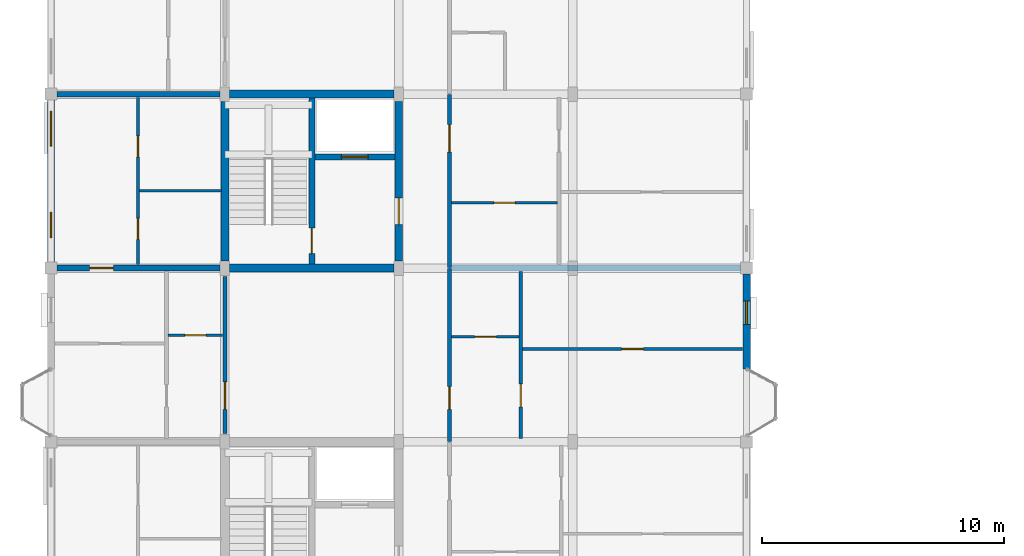
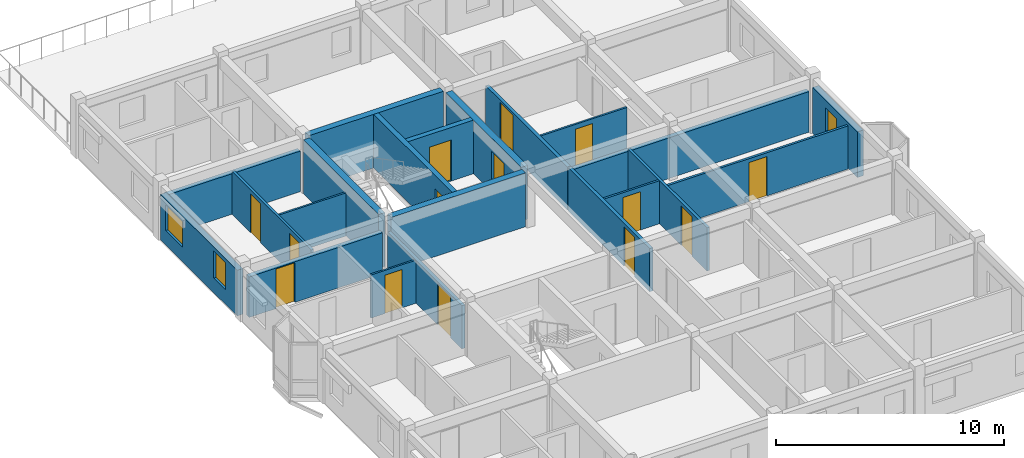
# One storey, part 48 of 70: 21 walls, 14 doors, 3 windows, 17 openings.
"""IFC4 building model written with IfcOpenShell, lengths in metres."""

from ifc_helpers import new_model, si_unit, direction, frame, frame_2d, origin, place, context, subcontext, project, spatial, rectangle, extrude, material, layer, layer_set, type_object, element, fill, save


model = new_model("IFC4")

# Units and contexts
model_context = context("Model", 3, precision=1e-05, world=origin(), true_north=direction((0.0, 1.0)))
body_context = subcontext(model_context, "Body", "Model", "MODEL_VIEW")
ifc_project = project(units=[si_unit("LENGTHUNIT", "METRE"), si_unit("AREAUNIT", "SQUARE_METRE"), si_unit("VOLUMEUNIT", "CUBIC_METRE"), si_unit("PLANEANGLEUNIT", "RADIAN"), si_unit("MASSUNIT", "GRAM", prefix="KILO"), si_unit("THERMODYNAMICTEMPERATUREUNIT", "KELVIN"), si_unit("POWERUNIT", "WATT")], contexts=[model_context])

# Site, building, storey
site_placement = place(None, origin())
site = spatial("IfcSite", under=ifc_project, at=site_placement, CompositionType="ELEMENT")
building_placement = place(site_placement, origin())
building = spatial("IfcBuilding", under=site, at=building_placement, Name="Tavuni Mirador Residences", CompositionType="ELEMENT")
storey_placement = place(building_placement, frame((0.0, 0.0, 23.39990234375)))
storey = spatial("IfcBuildingStorey", under=building, at=storey_placement, Name="L07", CompositionType="ELEMENT", Elevation=23.39990234375)

# Wall, opening, door
ifc_material_1 = material(Name="Precast concrete C40/50", Category="concrete")
ifc_layer_1 = layer(ifc_material_1, 0.25, Name="Precast concrete C40/50", Category="concrete")
ifc_layer_set_1 = layer_set([ifc_layer_1], Name="Precast concrete C40/50")
wall_type_1 = type_object("IfcWallType", Name="WT-COR250", PredefinedType="SHEAR", material=ifc_layer_set_1)
wall_1_placement = place(storey_placement, frame((14.39990234375, 28.9599609375, 0.0), z_axis=(0.0, 0.0, 1.0), x_axis=(0.0, 1.0, 0.0)))
wall_1 = element("IfcWall", 1, at=wall_1_placement, inside=storey, type_object=wall_type_1, Name="CWALL-C2-L07-MID", PredefinedType="SHEAR", context=body_context, shape_type="SweptSolid", body=[
    extrude(rectangle(XDim=6.880126953125, YDim=0.25, at=frame_2d((3.43994140625, 0.0))), origin(), (0.0, 0.0, 1.0), 2.8701171875),
])
opening_1_placement = place(wall_1_placement, frame((0.43994140625, 0.0, 0.0)))
opening_1 = element("IfcOpeningElement", 2, at=opening_1_placement, cuts=wall_1, Name="Opening D-01", PredefinedType="OPENING", context=body_context, shape_type="SweptSolid", body=[
    extrude(rectangle(XDim=1.050048828125, YDim=2.14990234375, at=frame_2d((0.52490234375, 1.074951171875))), frame((0.0, 0.135009765625, 0.0), z_axis=(0.0, -1.0, 0.0), x_axis=(1.0, 0.0, 0.0)), (0.0, 0.0, 1.0), 0.27001953125),
])
ifc_material_2 = material(Name="Solid core iroko timber", Category="wood")
door_type_1 = type_object("IfcDoorType", Name="DT-ST1050", OperationType="NOTDEFINED", PredefinedType="DOOR", material=ifc_material_2)
door_1_placement = place(opening_1_placement, origin())
door_1 = element("IfcDoor", 3, at=door_1_placement, inside=storey, type_object=door_type_1, Name="DR-2081", OperationType="SINGLE_SWING_LEFT", OverallHeight=2.14990234375, OverallWidth=1.050048828125, PredefinedType="DOOR", context=body_context, shape_type="SweptSolid", body=[
    extrude(rectangle(XDim=1.050048828125, YDim=2.14990234375, at=frame_2d((0.52490234375, 1.074951171875))), frame((0.0, 0.02490234375, 0.0), z_axis=(0.0, -1.0, 0.0), x_axis=(1.0, 0.0, 0.0)), (0.0, 0.0, 1.0), 0.050048828125),
])
fill(opening_1, door_1)

wall_2_placement = place(storey_placement, frame((14.52490234375, 33.39990234375, 0.0), z_axis=(0.0, 0.0, 1.0), x_axis=(1.0, 0.0, 0.0)))
wall_2 = element("IfcWall", 4, at=wall_2_placement, inside=storey, type_object=wall_type_1, Name="CWALL-C2-L07-SHF", PredefinedType="SHEAR", context=body_context, shape_type="SweptSolid", body=[
    extrude(rectangle(XDim=3.315185546875, YDim=0.25, at=frame_2d((1.65771484375, 0.0))), origin(), (0.0, 0.0, 1.0), 2.8701171875),
])
opening_2_placement = place(wall_2_placement, frame((1.10009765625, 0.0, 0.0)))
opening_2 = element("IfcOpeningElement", 5, at=opening_2_placement, cuts=wall_2, Name="Opening LD-01", PredefinedType="OPENING", context=body_context, shape_type="SweptSolid", body=[
    extrude(rectangle(XDim=1.10009765625, YDim=2.199951171875, at=frame_2d((0.550048828125, 1.10009765625))), frame((0.0, 0.135009765625, 0.0), z_axis=(0.0, -1.0, 0.0), x_axis=(1.0, 0.0, 0.0)), (0.0, 0.0, 1.0), 0.27001953125),
])
ifc_material_3 = material(Name="Structural steel S355", Category="steel")
door_type_2 = type_object("IfcDoorType", Name="DT-LD-FF", OperationType="SLIDING_TO_LEFT", PredefinedType="DOOR", material=ifc_material_3)
door_2_placement = place(opening_2_placement, origin())
door_2 = element("IfcDoor", 6, at=door_2_placement, inside=storey, type_object=door_type_2, Name="Lift landing door FL-A2 L07", OperationType="SLIDING_TO_LEFT", OverallHeight=2.199951171875, OverallWidth=1.10009765625, PredefinedType="DOOR", context=body_context, shape_type="SweptSolid", body=[
    extrude(rectangle(XDim=1.10009765625, YDim=2.199951171875, at=frame_2d((0.550048828125, 1.10009765625))), frame((0.0, 0.02490234375, 0.0), z_axis=(0.0, -1.0, 0.0), x_axis=(1.0, 0.0, 0.0)), (0.0, 0.0, 1.0), 0.050048828125),
])
fill(opening_2, door_2)

# Walls
ifc_layer_2 = layer(ifc_material_1, 0.320068359375, Name="Precast concrete C40/50", Category="concrete")
ifc_layer_set_2 = layer_set([ifc_layer_2], Name="Precast concrete C40/50")
wall_type_2 = type_object("IfcWallType", Name="WT-COR320", PredefinedType="SHEAR", material=ifc_layer_set_2)
wall_3_placement = place(storey_placement, frame((10.800048828125, 29.10009765625, 0.0), z_axis=(0.0, 0.0, 1.0), x_axis=(0.0, 1.0, 0.0)))
element("IfcWall", 7, at=wall_3_placement, inside=storey, type_object=wall_type_2, Name="CWALL-C2-L07-W", PredefinedType="SHEAR", context=body_context, shape_type="SweptSolid", body=[
    extrude(rectangle(XDim=6.599853515625, YDim=0.320068359375, at=frame_2d((3.2998046875, 0.0))), origin(), (0.0, 0.0, 1.0), 2.8701171875),
])
wall_4_placement = place(storey_placement, frame((11.0, 36.0, 0.0), z_axis=(0.0, 0.0, 1.0), x_axis=(1.0, 0.0, 0.0)))
element("IfcWall", 8, at=wall_4_placement, inside=storey, type_object=wall_type_2, Name="CWALL-C2-L07-N", PredefinedType="SHEAR", context=body_context, shape_type="SweptSolid", body=[
    extrude(rectangle(XDim=6.800048828125, YDim=0.320068359375, at=frame_2d((3.39990234375, 0.0))), origin(), (0.0, 0.0, 1.0), 2.8701171875),
])

# Wall, opening, door
wall_5_placement = place(storey_placement, frame((18.0, 29.10009765625, 0.0), z_axis=(0.0, 0.0, 1.0), x_axis=(0.0, 1.0, 0.0)))
wall_5 = element("IfcWall", 9, at=wall_5_placement, inside=storey, type_object=wall_type_2, Name="CWALL-C2-L07-E", PredefinedType="SHEAR", context=body_context, shape_type="SweptSolid", body=[
    extrude(rectangle(XDim=6.599853515625, YDim=0.320068359375, at=frame_2d((3.2998046875, 0.0))), origin(), (0.0, 0.0, 1.0), 2.8701171875),
])
opening_3_placement = place(wall_5_placement, frame((1.5, 0.0, 0.0)))
opening_3 = element("IfcOpeningElement", 10, at=opening_3_placement, cuts=wall_5, Name="Opening D-02", PredefinedType="OPENING", context=body_context, shape_type="SweptSolid", body=[
    extrude(rectangle(XDim=1.10009765625, YDim=2.14990234375, at=frame_2d((0.550048828125, 1.074951171875))), frame((0.0, 0.169921875, 0.0), z_axis=(0.0, -1.0, 0.0), x_axis=(1.0, 0.0, 0.0)), (0.0, 0.0, 1.0), 0.340087890625),
])
door_type_3 = type_object("IfcDoorType", Name="DT-LOB1100", OperationType="NOTDEFINED", PredefinedType="DOOR", material=ifc_material_2)
door_3_placement = place(opening_3_placement, frame((1.10009765625, 0.0, 0.0), z_axis=(0.0, 0.0, 1.0), x_axis=(-1.0, 0.0, 0.0)))
door_3 = element("IfcDoor", 11, at=door_3_placement, inside=storey, type_object=door_type_3, Name="DR-2080", OperationType="SINGLE_SWING_LEFT", OverallHeight=2.14990234375, OverallWidth=1.10009765625, PredefinedType="DOOR", context=body_context, shape_type="SweptSolid", body=[
    extrude(rectangle(XDim=1.10009765625, YDim=2.14990234375, at=frame_2d((0.550048828125, 1.074951171875))), frame((0.0, 0.02490234375, 0.0), z_axis=(0.0, -1.0, 0.0), x_axis=(1.0, 0.0, 0.0)), (0.0, 0.0, 1.0), 0.050048828125),
])
fill(opening_3, door_3)

# Wall
wall_6_placement = place(storey_placement, frame((11.0, 28.800048828125, 0.0), z_axis=(0.0, 0.0, 1.0), x_axis=(1.0, 0.0, 0.0)))
element("IfcWall", 12, at=wall_6_placement, inside=storey, type_object=wall_type_2, Name="CWALL-C2-L07-SS", PredefinedType="SHEAR", context=body_context, shape_type="SweptSolid", body=[
    extrude(rectangle(XDim=6.800048828125, YDim=0.320068359375, at=frame_2d((3.39990234375, 0.0))), origin(), (0.0, 0.0, 1.0), 2.8701171875),
])

# Wall, opening, door
ifc_layer_3 = layer(ifc_material_1, 0.1650390625, Name="Precast concrete C40/50", Category="concrete")
ifc_layer_set_3 = layer_set([ifc_layer_3], Name="Precast concrete C40/50")
wall_type_3 = type_object("IfcWallType", Name="WT-CORR165", PredefinedType="PARTITIONING", material=ifc_layer_set_3)
wall_7_placement = place(storey_placement, frame((20.10009765625, 21.6201171875, 0.0), z_axis=(0.0, 0.0, 1.0), x_axis=(0.0, 1.0, 0.0)))
wall_7 = element("IfcWall", 13, at=wall_7_placement, inside=storey, type_object=wall_type_3, Name="CORW-BLK-A-L07-0-02", PredefinedType="PARTITIONING", context=body_context, shape_type="SweptSolid", body=[
    extrude(rectangle(XDim=7.159912109375, YDim=0.1650390625, at=frame_2d((3.580078125, 0.0))), origin(), (0.0, 0.0, 1.0), 2.30517578125),
])
opening_4_placement = place(wall_7_placement, frame((1.330078125, 0.0, 0.0)))
opening_4 = element("IfcOpeningElement", 14, at=opening_4_placement, cuts=wall_7, Name="Opening D-19", PredefinedType="OPENING", context=body_context, shape_type="SweptSolid", body=[
    extrude(rectangle(XDim=0.93994140625, YDim=2.1201171875, at=frame_2d((0.469970703125, 1.06005859375))), frame((0.0, 0.092529296875, 0.0), z_axis=(0.0, -1.0, 0.0), x_axis=(1.0, 0.0, 0.0)), (0.0, 0.0, 1.0), 0.18505859375),
])
door_type_4 = type_object("IfcDoorType", Name="DT-FD60-940", OperationType="NOTDEFINED", PredefinedType="DOOR", material=ifc_material_2)
door_4_placement = place(opening_4_placement, origin())
door_4 = element("IfcDoor", 15, at=door_4_placement, inside=storey, type_object=door_type_4, Name="DR-2455", OperationType="SINGLE_SWING_RIGHT", OverallHeight=2.1201171875, OverallWidth=0.93994140625, PredefinedType="DOOR", context=body_context, shape_type="SweptSolid", body=[
    extrude(rectangle(XDim=0.93994140625, YDim=2.1201171875, at=frame_2d((0.469970703125, 1.06005859375))), frame((0.0, 0.02490234375, 0.0), z_axis=(0.0, -1.0, 0.0), x_axis=(1.0, 0.0, 0.0)), (0.0, 0.0, 1.0), 0.050048828125),
])
fill(opening_4, door_4)

wall_8_placement = place(storey_placement, frame((20.10009765625, 28.820068359375, 0.0), z_axis=(0.0, 0.0, 1.0), x_axis=(0.0, 1.0, 0.0)))
wall_8 = element("IfcWall", 16, at=wall_8_placement, inside=storey, type_object=wall_type_3, Name="CORW-BLK-A-L07-0-03", PredefinedType="PARTITIONING", context=body_context, shape_type="SweptSolid", body=[
    extrude(rectangle(XDim=7.159912109375, YDim=0.1650390625, at=frame_2d((3.580078125, 0.0))), origin(), (0.0, 0.0, 1.0), 2.30517578125),
])
opening_5_placement = place(wall_8_placement, frame((4.780029296875, 0.0, 0.0)))
opening_5 = element("IfcOpeningElement", 17, at=opening_5_placement, cuts=wall_8, Name="Opening D-20", PredefinedType="OPENING", context=body_context, shape_type="SweptSolid", body=[
    extrude(rectangle(XDim=1.139892578125, YDim=2.179931640625, at=frame_2d((0.56982421875, 1.08984375))), frame((0.0, 0.092529296875, 0.0), z_axis=(0.0, -1.0, 0.0), x_axis=(1.0, 0.0, 0.0)), (0.0, 0.0, 1.0), 0.18505859375),
])
door_type_5 = type_object("IfcDoorType", Name="DT-FD60-1140", OperationType="NOTDEFINED", PredefinedType="DOOR", material=ifc_material_2)
door_5_placement = place(opening_5_placement, origin())
door_5 = element("IfcDoor", 18, at=door_5_placement, inside=storey, type_object=door_type_5, Name="DR-2456", OperationType="SINGLE_SWING_LEFT", OverallHeight=2.179931640625, OverallWidth=1.139892578125, PredefinedType="DOOR", context=body_context, shape_type="SweptSolid", body=[
    extrude(rectangle(XDim=1.139892578125, YDim=2.179931640625, at=frame_2d((0.56982421875, 1.08984375))), frame((0.0, 0.02490234375, 0.0), z_axis=(0.0, -1.0, 0.0), x_axis=(1.0, 0.0, 0.0)), (0.0, 0.0, 1.0), 0.050048828125),
])
fill(opening_5, door_5)

wall_9_placement = place(storey_placement, frame((10.800048828125, 21.949951171875, 0.0), z_axis=(0.0, 0.0, 1.0), x_axis=(0.0, 1.0, 0.0)))
wall_9 = element("IfcWall", 19, at=wall_9_placement, inside=storey, type_object=wall_type_3, Name="CORW-BLK-A-L07-1-02", PredefinedType="PARTITIONING", context=body_context, shape_type="SweptSolid", body=[
    extrude(rectangle(XDim=6.5, YDim=0.1650390625, at=frame_2d((3.25, 0.0))), origin(), (0.0, 0.0, 1.0), 2.30517578125),
])
opening_6_placement = place(wall_9_placement, frame((1.0, 0.0, 0.0)))
opening_6 = element("IfcOpeningElement", 20, at=opening_6_placement, cuts=wall_9, Name="Opening D-20", PredefinedType="OPENING", context=body_context, shape_type="SweptSolid", body=[
    extrude(rectangle(XDim=1.139892578125, YDim=2.179931640625, at=frame_2d((0.56982421875, 1.08984375))), frame((0.0, 0.092529296875, 0.0), z_axis=(0.0, -1.0, 0.0), x_axis=(1.0, 0.0, 0.0)), (0.0, 0.0, 1.0), 0.18505859375),
])
door_6_placement = place(opening_6_placement, origin())
door_6 = element("IfcDoor", 21, at=door_6_placement, inside=storey, type_object=door_type_5, Name="DR-2459", OperationType="SINGLE_SWING_RIGHT", OverallHeight=2.179931640625, OverallWidth=1.139892578125, PredefinedType="DOOR", context=body_context, shape_type="SweptSolid", body=[
    extrude(rectangle(XDim=1.139892578125, YDim=2.179931640625, at=frame_2d((0.56982421875, 1.08984375))), frame((0.0, 0.02490234375, 0.0), z_axis=(0.0, -1.0, 0.0), x_axis=(1.0, 0.0, 0.0)), (0.0, 0.0, 1.0), 0.050048828125),
])
fill(opening_6, door_6)

# Wall, openings, windows
ifc_material_4 = material(Name="Sgraffito lime-rendered precast concrete C40/50", Category="concrete")
ifc_layer_4 = layer(ifc_material_4, 0.2900390625, Name="Sgraffito lime-rendered precast concrete C40/50", Category="concrete")
ifc_layer_set_4 = layer_set([ifc_layer_4], Name="Sgraffito lime-rendered precast concrete C40/50")
wall_type_4 = type_object("IfcWallType", Name="WT-EXT-PC290", PredefinedType="SOLIDWALL", material=ifc_layer_set_4)
wall_10_placement = place(storey_placement, frame((3.60009765625, 35.75, 0.0), z_axis=(0.0, 0.0, 1.0), x_axis=(0.0, -1.0, 0.0)))
wall_10 = element("IfcWall", 22, at=wall_10_placement, inside=storey, type_object=wall_type_4, Name="EW-BLK-A-L07-W03", PredefinedType="SOLIDWALL", context=body_context, shape_type="SweptSolid", body=[
    extrude(rectangle(XDim=6.699951171875, YDim=0.2900390625, at=frame_2d((3.35009765625, 0.0))), origin(), (0.0, 0.0, 1.0), 2.440185546875),
])
opening_7_placement = place(wall_10_placement, frame((0.449951171875, 0.0, 0.780029296875)))
opening_7 = element("IfcOpeningElement", 23, at=opening_7_placement, cuts=wall_10, Name="Opening WN-24", PredefinedType="OPENING", context=body_context, shape_type="SweptSolid", body=[
    extrude(rectangle(XDim=1.4599609375, YDim=1.360107421875, at=frame_2d((0.72998046875, 0.68017578125))), frame((0.0, 0.155029296875, 0.0), z_axis=(0.0, -1.0, 0.0), x_axis=(1.0, 0.0, 0.0)), (0.0, 0.0, 1.0), 0.31005859375),
])
opening_8_placement = place(wall_10_placement, frame((4.64990234375, 0.0, 0.780029296875)))
opening_8 = element("IfcOpeningElement", 24, at=opening_8_placement, cuts=wall_10, Name="Opening WN-26", PredefinedType="OPENING", context=body_context, shape_type="SweptSolid", body=[
    extrude(rectangle(XDim=1.050048828125, YDim=1.43994140625, at=frame_2d((0.52490234375, 0.719970703125))), frame((0.0, 0.155029296875, 0.0), z_axis=(0.0, -1.0, 0.0), x_axis=(1.0, 0.0, 0.0)), (0.0, 0.0, 1.0), 0.31005859375),
])
ifc_material_5 = material(Name="Laminated solar-control glass", Category="glass")
window_type_1 = type_object("IfcWindowType", Name="WNT-24", PartitioningType="SINGLE_PANEL", PredefinedType="WINDOW", material=ifc_material_5)
window_1_placement = place(opening_7_placement, origin())
window_1 = element("IfcWindow", 25, at=window_1_placement, inside=storey, type_object=window_type_1, Name="WIN-0286", OverallHeight=1.360107421875, OverallWidth=1.4599609375, PartitioningType="SINGLE_PANEL", PredefinedType="WINDOW", context=body_context, shape_type="SweptSolid", body=[
    extrude(rectangle(XDim=1.4599609375, YDim=1.360107421875, at=frame_2d((0.72998046875, 0.68017578125))), frame((0.0, 0.030029296875, 0.0), z_axis=(0.0, -1.0, 0.0), x_axis=(1.0, 0.0, 0.0)), (0.0, 0.0, 1.0), 0.06005859375),
])
fill(opening_7, window_1)
window_type_2 = type_object("IfcWindowType", Name="WNT-26", PartitioningType="SINGLE_PANEL", PredefinedType="WINDOW", material=ifc_material_5)
window_2_placement = place(opening_8_placement, origin())
window_2 = element("IfcWindow", 26, at=window_2_placement, inside=storey, type_object=window_type_2, Name="WIN-0287", OverallHeight=1.43994140625, OverallWidth=1.050048828125, PartitioningType="SINGLE_PANEL", PredefinedType="WINDOW", context=body_context, shape_type="SweptSolid", body=[
    extrude(rectangle(XDim=1.050048828125, YDim=1.43994140625, at=frame_2d((0.52490234375, 0.719970703125))), frame((0.0, 0.030029296875, 0.0), z_axis=(0.0, -1.0, 0.0), x_axis=(1.0, 0.0, 0.0)), (0.0, 0.0, 1.0), 0.06005859375),
])
fill(opening_8, window_2)

# Wall, opening, window
ifc_layer_5 = layer(ifc_material_4, 0.304931640625, Name="Sgraffito lime-rendered precast concrete C40/50", Category="concrete")
ifc_layer_set_5 = layer_set([ifc_layer_5], Name="Sgraffito lime-rendered precast concrete C40/50")
wall_type_5 = type_object("IfcWallType", Name="WT-EXT-PC305", PredefinedType="SOLIDWALL", material=ifc_layer_set_5)
wall_11_placement = place(storey_placement, frame((32.39990234375, 24.6201171875, 0.0), z_axis=(0.0, 0.0, 1.0), x_axis=(0.0, 1.0, 0.0)))
wall_11 = element("IfcWall", 27, at=wall_11_placement, inside=storey, type_object=wall_type_5, Name="EW-BLK-A-L07-E02", PredefinedType="SOLIDWALL", context=body_context, shape_type="SweptSolid", body=[
    extrude(rectangle(XDim=3.929931640625, YDim=0.304931640625, at=frame_2d((1.96484375, 0.0))), origin(), (0.0, 0.0, 1.0), 2.440185546875),
])
opening_9_placement = place(wall_11_placement, frame((1.844970703125, 0.0, 0.780029296875)))
opening_9 = element("IfcOpeningElement", 28, at=opening_9_placement, cuts=wall_11, Name="Opening WN-10", PredefinedType="OPENING", context=body_context, shape_type="SweptSolid", body=[
    extrude(rectangle(XDim=0.9599609375, YDim=1.260009765625, at=frame_2d((0.47998046875, 0.6298828125))), frame((0.0, 0.16259765625, 0.0), z_axis=(0.0, -1.0, 0.0), x_axis=(1.0, 0.0, 0.0)), (0.0, 0.0, 1.0), 0.324951171875),
])
window_type_3 = type_object("IfcWindowType", Name="WNT-10", PartitioningType="SINGLE_PANEL", PredefinedType="WINDOW", material=ifc_material_5)
window_3_placement = place(opening_9_placement, origin())
window_3 = element("IfcWindow", 29, at=window_3_placement, inside=storey, type_object=window_type_3, Name="WIN-0272", OverallHeight=1.260009765625, OverallWidth=0.9599609375, PartitioningType="SINGLE_PANEL", PredefinedType="WINDOW", context=body_context, shape_type="SweptSolid", body=[
    extrude(rectangle(XDim=0.9599609375, YDim=1.260009765625, at=frame_2d((0.47998046875, 0.6298828125))), frame((0.0, 0.030029296875, 0.0), z_axis=(0.0, -1.0, 0.0), x_axis=(1.0, 0.0, 0.0)), (0.0, 0.0, 1.0), 0.06005859375),
])
fill(opening_9, window_3)

# Wall, opening, door
ifc_material_6 = material(Name="Acoustic gypsum and concrete block partition", Category="concrete")
ifc_layer_6 = layer(ifc_material_6, 0.094970703125, Name="Acoustic gypsum and concrete block partition", Category="concrete")
ifc_layer_set_6 = layer_set([ifc_layer_6], Name="Acoustic gypsum and concrete block partition")
wall_type_6 = type_object("IfcWallType", Name="WT-PART095", PredefinedType="PARTITIONING", material=ifc_layer_set_6)
wall_12_placement = place(storey_placement, frame((8.449951171875, 26.02001953125, 0.0), z_axis=(0.0, 0.0, 1.0), x_axis=(1.0, 0.0, 0.0)))
wall_12 = element("IfcWall", 30, at=wall_12_placement, inside=storey, type_object=wall_type_6, Name="PW-BLK-A-L07-W02-IN1", PredefinedType="PARTITIONING", context=body_context, shape_type="SweptSolid", body=[
    extrude(rectangle(XDim=2.260009765625, YDim=0.094970703125, at=frame_2d((1.1298828125, 0.0))), origin(), (0.0, 0.0, 1.0), 2.30517578125),
])
opening_10_placement = place(wall_12_placement, frame((0.695068359375, 0.0, 0.0)))
opening_10 = element("IfcOpeningElement", 31, at=opening_10_placement, cuts=wall_12, Name="Opening D-10", PredefinedType="OPENING", context=body_context, shape_type="SweptSolid", body=[
    extrude(rectangle(XDim=0.8701171875, YDim=2.050048828125, at=frame_2d((0.43505859375, 1.02490234375))), frame((0.0, 0.0576171875, 0.0), z_axis=(0.0, -1.0, 0.0), x_axis=(1.0, 0.0, 0.0)), (0.0, 0.0, 1.0), 0.114990234375),
])
door_type_6 = type_object("IfcDoorType", Name="DT-WC870", OperationType="NOTDEFINED", PredefinedType="DOOR", material=ifc_material_2)
door_7_placement = place(opening_10_placement, origin())
door_7 = element("IfcDoor", 32, at=door_7_placement, inside=storey, type_object=door_type_6, Name="DR-3183", OperationType="SINGLE_SWING_LEFT", OverallHeight=2.050048828125, OverallWidth=0.8701171875, PredefinedType="DOOR", context=body_context, shape_type="SweptSolid", body=[
    extrude(rectangle(XDim=0.8701171875, YDim=2.050048828125, at=frame_2d((0.43505859375, 1.02490234375))), frame((0.0, 0.02490234375, 0.0), z_axis=(0.0, -1.0, 0.0), x_axis=(1.0, 0.0, 0.0)), (0.0, 0.0, 1.0), 0.050048828125),
])
fill(opening_10, door_7)

# Wall
wall_13_placement = place(storey_placement, frame((7.27001953125, 32.0, 0.0), z_axis=(0.0, 0.0, 1.0), x_axis=(1.0, 0.0, 0.0)))
element("IfcWall", 33, at=wall_13_placement, inside=storey, type_object=wall_type_6, Name="PW-BLK-A-L07-WC03-H", PredefinedType="PARTITIONING", context=body_context, shape_type="SweptSolid", body=[
    extrude(rectangle(XDim=3.389892578125, YDim=0.094970703125, at=frame_2d((1.69482421875, 0.0))), origin(), (0.0, 0.0, 1.0), 2.30517578125),
])

# Wall, opening, door
wall_14_placement = place(storey_placement, frame((20.18994140625, 31.5, 0.0), z_axis=(0.0, 0.0, 1.0), x_axis=(1.0, 0.0, 0.0)))
wall_14 = element("IfcWall", 34, at=wall_14_placement, inside=storey, type_object=wall_type_6, Name="PW-BLK-A-L07-E03-IN1", PredefinedType="PARTITIONING", context=body_context, shape_type="SweptSolid", body=[
    extrude(rectangle(XDim=4.3701171875, YDim=0.094970703125, at=frame_2d((2.18505859375, 0.0))), origin(), (0.0, 0.0, 1.0), 2.30517578125),
])
opening_11_placement = place(wall_14_placement, frame((1.75, 0.0, 0.0)))
opening_11 = element("IfcOpeningElement", 35, at=opening_11_placement, cuts=wall_14, Name="Opening D-10", PredefinedType="OPENING", context=body_context, shape_type="SweptSolid", body=[
    extrude(rectangle(XDim=0.8701171875, YDim=2.050048828125, at=frame_2d((0.43505859375, 1.02490234375))), frame((0.0, 0.0576171875, 0.0), z_axis=(0.0, -1.0, 0.0), x_axis=(1.0, 0.0, 0.0)), (0.0, 0.0, 1.0), 0.114990234375),
])
door_8_placement = place(opening_11_placement, origin())
door_8 = element("IfcDoor", 36, at=door_8_placement, inside=storey, type_object=door_type_6, Name="DR-3191", OperationType="SINGLE_SWING_LEFT", OverallHeight=2.050048828125, OverallWidth=0.8701171875, PredefinedType="DOOR", context=body_context, shape_type="SweptSolid", body=[
    extrude(rectangle(XDim=0.8701171875, YDim=2.050048828125, at=frame_2d((0.43505859375, 1.02490234375))), frame((0.0, 0.02490234375, 0.0), z_axis=(0.0, -1.0, 0.0), x_axis=(1.0, 0.0, 0.0)), (0.0, 0.0, 1.0), 0.050048828125),
])
fill(opening_11, door_8)

ifc_layer_7 = layer(ifc_material_6, 0.10498046875, Name="Acoustic gypsum and concrete block partition", Category="concrete")
ifc_layer_set_7 = layer_set([ifc_layer_7], Name="Acoustic gypsum and concrete block partition")
wall_type_7 = type_object("IfcWallType", Name="WT-PART105", PredefinedType="PARTITIONING", material=ifc_layer_set_7)
wall_15_placement = place(storey_placement, frame((20.18994140625, 25.949951171875, 0.0), z_axis=(0.0, 0.0, 1.0), x_axis=(1.0, 0.0, 0.0)))
wall_15 = element("IfcWall", 37, at=wall_15_placement, inside=storey, type_object=wall_type_7, Name="PW-BLK-A-L07-E02-IN1", PredefinedType="PARTITIONING", context=body_context, shape_type="SweptSolid", body=[
    extrude(rectangle(XDim=2.7900390625, YDim=0.10498046875, at=frame_2d((1.39501953125, 0.0))), origin(), (0.0, 0.0, 1.0), 2.30517578125),
])
opening_12_placement = place(wall_15_placement, frame((0.945068359375, 0.0, 0.0)))
opening_12 = element("IfcOpeningElement", 38, at=opening_12_placement, cuts=wall_15, Name="Opening D-09", PredefinedType="OPENING", context=body_context, shape_type="SweptSolid", body=[
    extrude(rectangle(XDim=0.89990234375, YDim=2.050048828125, at=frame_2d((0.449951171875, 1.02490234375))), frame((0.0, 0.0625, 0.0), z_axis=(0.0, -1.0, 0.0), x_axis=(1.0, 0.0, 0.0)), (0.0, 0.0, 1.0), 0.125),
])
door_type_7 = type_object("IfcDoorType", Name="DT-WC900", OperationType="NOTDEFINED", PredefinedType="DOOR", material=ifc_material_2)
door_9_placement = place(opening_12_placement, origin())
door_9 = element("IfcDoor", 39, at=door_9_placement, inside=storey, type_object=door_type_7, Name="DR-3186", OperationType="SINGLE_SWING_RIGHT", OverallHeight=2.050048828125, OverallWidth=0.89990234375, PredefinedType="DOOR", context=body_context, shape_type="SweptSolid", body=[
    extrude(rectangle(XDim=0.89990234375, YDim=2.050048828125, at=frame_2d((0.449951171875, 1.02490234375))), frame((0.0, 0.02490234375, 0.0), z_axis=(0.0, -1.0, 0.0), x_axis=(1.0, 0.0, 0.0)), (0.0, 0.0, 1.0), 0.050048828125),
])
fill(opening_12, door_9)

ifc_layer_8 = layer(ifc_material_6, 0.114990234375, Name="Acoustic gypsum and concrete block partition", Category="concrete")
ifc_layer_set_8 = layer_set([ifc_layer_8], Name="Acoustic gypsum and concrete block partition")
wall_type_8 = type_object("IfcWallType", Name="WT-PART115", PredefinedType="PARTITIONING", material=ifc_layer_set_8)
wall_16_placement = place(storey_placement, frame((23.1201171875, 25.449951171875, 0.0), z_axis=(0.0, 0.0, 1.0), x_axis=(1.0, 0.0, 0.0)))
wall_16 = element("IfcWall", 40, at=wall_16_placement, inside=storey, type_object=wall_type_8, Name="PW-BLK-A-L07-E02-OUT", PredefinedType="PARTITIONING", context=body_context, shape_type="SweptSolid", body=[
    extrude(rectangle(XDim=9.10498046875, YDim=0.114990234375, at=frame_2d((4.552490234375, 0.0))), origin(), (0.0, 0.0, 1.0), 2.30517578125),
])
opening_13_placement = place(wall_16_placement, frame((4.1025390625, 0.0, 0.0)))
opening_13 = element("IfcOpeningElement", 41, at=opening_13_placement, cuts=wall_16, Name="Opening D-07", PredefinedType="OPENING", context=body_context, shape_type="SweptSolid", body=[
    extrude(rectangle(XDim=0.89990234375, YDim=2.10009765625, at=frame_2d((0.449951171875, 1.050048828125))), frame((0.0, 0.0673828125, 0.0), z_axis=(0.0, -1.0, 0.0), x_axis=(1.0, 0.0, 0.0)), (0.0, 0.0, 1.0), 0.135009765625),
])
door_type_8 = type_object("IfcDoorType", Name="DT-BED900", OperationType="NOTDEFINED", PredefinedType="DOOR", material=ifc_material_2)
door_10_placement = place(opening_13_placement, origin())
door_10 = element("IfcDoor", 42, at=door_10_placement, inside=storey, type_object=door_type_8, Name="DR-3185", OperationType="SINGLE_SWING_LEFT", OverallHeight=2.10009765625, OverallWidth=0.89990234375, PredefinedType="DOOR", context=body_context, shape_type="SweptSolid", body=[
    extrude(rectangle(XDim=0.89990234375, YDim=2.10009765625, at=frame_2d((0.449951171875, 1.050048828125))), frame((0.0, 0.02490234375, 0.0), z_axis=(0.0, -1.0, 0.0), x_axis=(1.0, 0.0, 0.0)), (0.0, 0.0, 1.0), 0.050048828125),
])
fill(opening_13, door_10)

# Wall, openings, doors
ifc_layer_9 = layer(ifc_material_6, 0.125, Name="Acoustic gypsum and concrete block partition", Category="concrete")
ifc_layer_set_9 = layer_set([ifc_layer_9], Name="Acoustic gypsum and concrete block partition")
wall_type_9 = type_object("IfcWallType", Name="WT-PART125", PredefinedType="PARTITIONING", material=ifc_layer_set_9)
wall_17_placement = place(storey_placement, frame((7.199951171875, 28.93994140625, 0.0), z_axis=(0.0, 0.0, 1.0), x_axis=(0.0, 1.0, 0.0)))
wall_17 = element("IfcWall", 43, at=wall_17_placement, inside=storey, type_object=wall_type_9, Name="PW-BLK-A-L07-WC03-M", PredefinedType="PARTITIONING", context=body_context, shape_type="SweptSolid", body=[
    extrude(rectangle(XDim=6.920166015625, YDim=0.125, at=frame_2d((3.4599609375, 0.0))), origin(), (0.0, 0.0, 1.0), 2.30517578125),
])
opening_14_placement = place(wall_17_placement, frame((1.050048828125, 0.0, 0.0)))
opening_14 = element("IfcOpeningElement", 44, at=opening_14_placement, cuts=wall_17, Name="Opening D-10", PredefinedType="OPENING", context=body_context, shape_type="SweptSolid", body=[
    extrude(rectangle(XDim=0.8701171875, YDim=2.050048828125, at=frame_2d((0.43505859375, 1.02490234375))), frame((0.0, 0.072509765625, 0.0), z_axis=(0.0, -1.0, 0.0), x_axis=(1.0, 0.0, 0.0)), (0.0, 0.0, 1.0), 0.14501953125),
])
opening_15_placement = place(wall_17_placement, frame((4.449951171875, 0.0, 0.0)))
opening_15 = element("IfcOpeningElement", 45, at=opening_15_placement, cuts=wall_17, Name="Opening D-08", PredefinedType="OPENING", context=body_context, shape_type="SweptSolid", body=[
    extrude(rectangle(XDim=0.8798828125, YDim=2.080078125, at=frame_2d((0.43994140625, 1.0400390625))), frame((0.0, 0.072509765625, 0.0), z_axis=(0.0, -1.0, 0.0), x_axis=(1.0, 0.0, 0.0)), (0.0, 0.0, 1.0), 0.14501953125),
])
door_type_9 = type_object("IfcDoorType", Name="DT-BED880", OperationType="NOTDEFINED", PredefinedType="DOOR", material=ifc_material_2)
door_11_placement = place(opening_15_placement, origin())
door_11 = element("IfcDoor", 46, at=door_11_placement, inside=storey, type_object=door_type_9, Name="DR-3189", OperationType="SINGLE_SWING_LEFT", OverallHeight=2.080078125, OverallWidth=0.8798828125, PredefinedType="DOOR", context=body_context, shape_type="SweptSolid", body=[
    extrude(rectangle(XDim=0.8798828125, YDim=2.080078125, at=frame_2d((0.43994140625, 1.0400390625))), frame((0.0, 0.02490234375, 0.0), z_axis=(0.0, -1.0, 0.0), x_axis=(1.0, 0.0, 0.0)), (0.0, 0.0, 1.0), 0.050048828125),
])
fill(opening_15, door_11)
door_12_placement = place(opening_14_placement, origin())
door_12 = element("IfcDoor", 47, at=door_12_placement, inside=storey, type_object=door_type_6, Name="DR-3188", OperationType="SINGLE_SWING_RIGHT", OverallHeight=2.050048828125, OverallWidth=0.8701171875, PredefinedType="DOOR", context=body_context, shape_type="SweptSolid", body=[
    extrude(rectangle(XDim=0.8701171875, YDim=2.050048828125, at=frame_2d((0.43505859375, 1.02490234375))), frame((0.0, 0.02490234375, 0.0), z_axis=(0.0, -1.0, 0.0), x_axis=(1.0, 0.0, 0.0)), (0.0, 0.0, 1.0), 0.050048828125),
])
fill(opening_14, door_12)

# Wall, opening, door
ifc_layer_10 = layer(ifc_material_6, 0.139892578125, Name="Acoustic gypsum and concrete block partition", Category="concrete")
ifc_layer_set_10 = layer_set([ifc_layer_10], Name="Acoustic gypsum and concrete block partition")
wall_type_10 = type_object("IfcWallType", Name="WT-PART140", PredefinedType="PARTITIONING", material=ifc_layer_set_10)
wall_18_placement = place(storey_placement, frame((23.050048828125, 21.739990234375, 0.0), z_axis=(0.0, 0.0, 1.0), x_axis=(0.0, 1.0, 0.0)))
wall_18 = element("IfcWall", 48, at=wall_18_placement, inside=storey, type_object=wall_type_10, Name="PW-BLK-A-L07-E02-MID", PredefinedType="PARTITIONING", context=body_context, shape_type="SweptSolid", body=[
    extrude(rectangle(XDim=6.919921875, YDim=0.139892578125, at=frame_2d((3.4599609375, 0.0))), origin(), (0.0, 0.0, 1.0), 2.30517578125),
])
opening_16_placement = place(wall_18_placement, frame((1.31005859375, 0.0, 0.0)))
opening_16 = element("IfcOpeningElement", 49, at=opening_16_placement, cuts=wall_18, Name="Opening D-05", PredefinedType="OPENING", context=body_context, shape_type="SweptSolid", body=[
    extrude(rectangle(XDim=0.949951171875, YDim=2.10009765625, at=frame_2d((0.47509765625, 1.050048828125))), frame((0.0, 0.080078125, 0.0), z_axis=(0.0, -1.0, 0.0), x_axis=(1.0, 0.0, 0.0)), (0.0, 0.0, 1.0), 0.159912109375),
])
door_type_10 = type_object("IfcDoorType", Name="DT-INT950", OperationType="NOTDEFINED", PredefinedType="DOOR", material=ifc_material_2)
door_13_placement = place(opening_16_placement, origin())
door_13 = element("IfcDoor", 50, at=door_13_placement, inside=storey, type_object=door_type_10, Name="DR-3187", OperationType="SINGLE_SWING_LEFT", OverallHeight=2.10009765625, OverallWidth=0.949951171875, PredefinedType="DOOR", context=body_context, shape_type="SweptSolid", body=[
    extrude(rectangle(XDim=0.949951171875, YDim=2.10009765625, at=frame_2d((0.47509765625, 1.050048828125))), frame((0.0, 0.02490234375, 0.0), z_axis=(0.0, -1.0, 0.0), x_axis=(1.0, 0.0, 0.0)), (0.0, 0.0, 1.0), 0.050048828125),
])
fill(opening_16, door_13)

ifc_layer_11 = layer(ifc_material_1, 0.235107421875, Name="Precast concrete C40/50", Category="concrete")
ifc_layer_set_11 = layer_set([ifc_layer_11], Name="Precast concrete C40/50")
wall_type_11 = type_object("IfcWallType", Name="WT-XW235", PredefinedType="SOLIDWALL", material=ifc_layer_set_11)
wall_19_placement = place(storey_placement, frame((3.85009765625, 28.800048828125, 0.0), z_axis=(0.0, 0.0, 1.0), x_axis=(1.0, 0.0, 0.0)))
wall_19 = element("IfcWall", 51, at=wall_19_placement, inside=storey, type_object=wall_type_11, Name="XW-BLK-A-L07-W-03", PredefinedType="SOLIDWALL", context=body_context, shape_type="SweptSolid", body=[
    extrude(rectangle(XDim=6.75, YDim=0.235107421875, at=frame_2d((3.375, 0.0))), origin(), (0.0, 0.0, 1.0), 2.170166015625),
])
opening_17_placement = place(wall_19_placement, frame((1.35009765625, 0.0, 0.0)))
opening_17 = element("IfcOpeningElement", 52, at=opening_17_placement, cuts=wall_19, Name="Opening D-04", PredefinedType="OPENING", context=body_context, shape_type="SweptSolid", body=[
    extrude(rectangle(XDim=0.97998046875, YDim=2.1201171875, at=frame_2d((0.489990234375, 1.06005859375))), frame((0.0, 0.12744140625, 0.0), z_axis=(0.0, -1.0, 0.0), x_axis=(1.0, 0.0, 0.0)), (0.0, 0.0, 1.0), 0.255126953125),
])
door_type_11 = type_object("IfcDoorType", Name="DT-FD60-980", OperationType="NOTDEFINED", PredefinedType="DOOR", material=ifc_material_2)
door_14_placement = place(opening_17_placement, origin())
door_14 = element("IfcDoor", 53, at=door_14_placement, inside=storey, type_object=door_type_11, Name="DR-4689", OperationType="SINGLE_SWING_RIGHT", OverallHeight=2.1201171875, OverallWidth=0.97998046875, PredefinedType="DOOR", context=body_context, shape_type="SweptSolid", body=[
    extrude(rectangle(XDim=0.97998046875, YDim=2.1201171875, at=frame_2d((0.489990234375, 1.06005859375))), frame((0.0, 0.02490234375, 0.0), z_axis=(0.0, -1.0, 0.0), x_axis=(1.0, 0.0, 0.0)), (0.0, 0.0, 1.0), 0.050048828125),
])
fill(opening_17, door_14)

# Walls
wall_20_placement = place(storey_placement, frame((20.10009765625, 28.800048828125, 0.0), z_axis=(0.0, 0.0, 1.0), x_axis=(1.0, 0.0, 0.0)))
element("IfcWall", 54, at=wall_20_placement, inside=storey, type_object=wall_type_11, Name="XW-BLK-A-L07-E-03", PredefinedType="SOLIDWALL", context=body_context, shape_type="SweptSolid", body=[
    extrude(rectangle(XDim=12.0498046875, YDim=0.235107421875, at=frame_2d((6.02490234375, 0.0))), origin(), (0.0, 0.0, 1.0), 2.170166015625),
])
wall_21_placement = place(storey_placement, frame((3.85009765625, 36.0, 0.0), z_axis=(0.0, 0.0, 1.0), x_axis=(1.0, 0.0, 0.0)))
element("IfcWall", 55, at=wall_21_placement, inside=storey, type_object=wall_type_11, Name="XW-BLK-A-L07-W-04", PredefinedType="SOLIDWALL", context=body_context, shape_type="SweptSolid", body=[
    extrude(rectangle(XDim=6.75, YDim=0.235107421875, at=frame_2d((3.375, 0.0))), origin(), (0.0, 0.0, 1.0), 2.170166015625),
])

save(model, "model.ifc")
